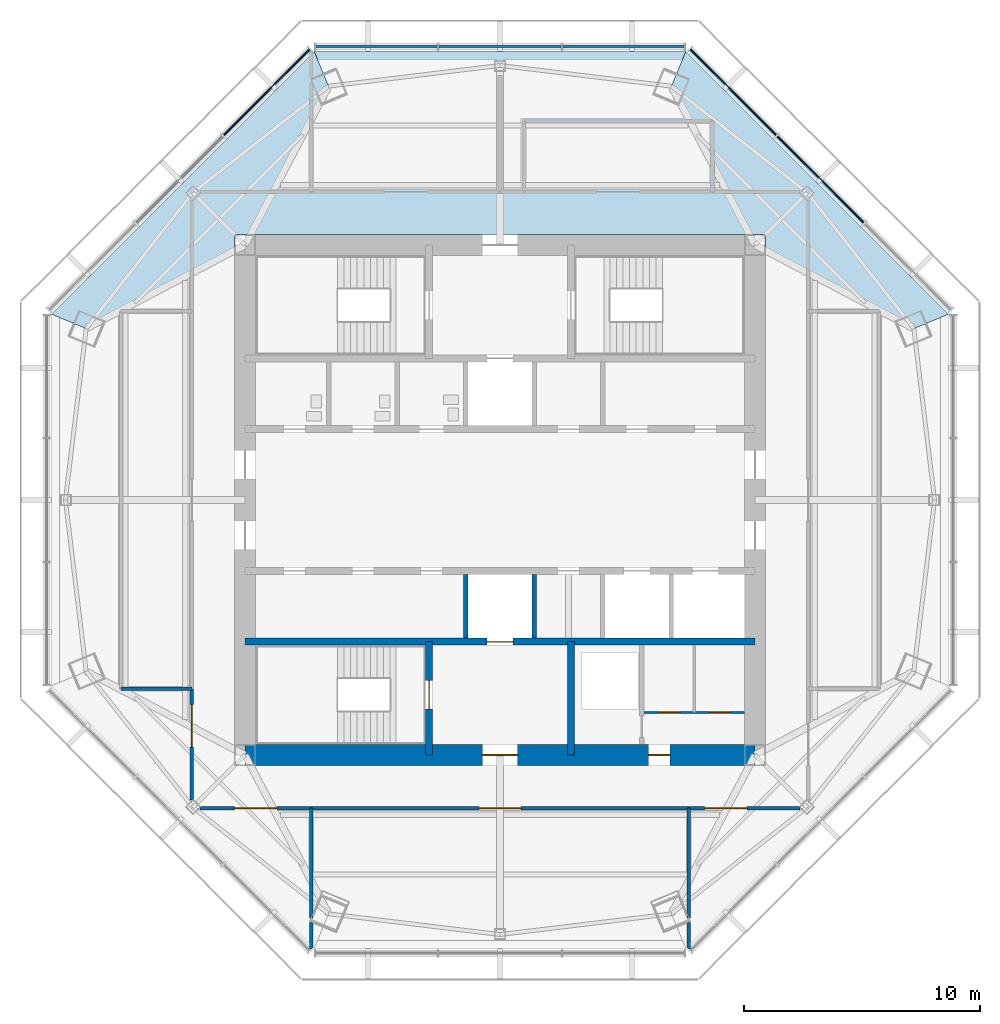
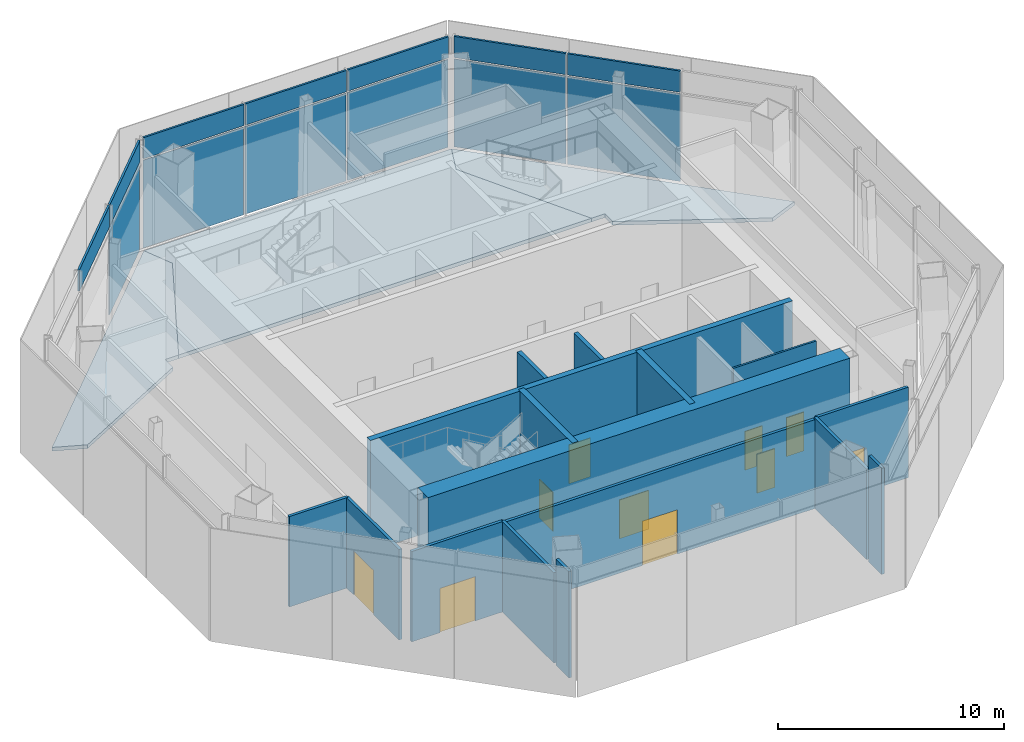
# One storey, part 4 of 11: 16 walls, 13 plates, 10 doors, 3 slabs, 10 openings, 3 elements without a shape of their own.
"""IFC4 building model written with IfcOpenShell, lengths in metres."""

from ifc_helpers import new_model, si_unit, direction, frame, frame_2d, origin, origin_2d, place, context, subcontext, project, spatial, polyline, rectangle, outline, extrude, source, transform, mapped, material, layer, layer_set, type_object, type_shapes, element, fill, aggregate, save


model = new_model("IFC4")

# Units and contexts
model_context = context("Model", 3, precision=1e-05, world=origin(), true_north=direction((0.0, 1.0)))
body_context = subcontext(model_context, "Body", "Model", "MODEL_VIEW")
ifc_project = project(units=[si_unit("LENGTHUNIT", "METRE"), si_unit("AREAUNIT", "SQUARE_METRE"), si_unit("VOLUMEUNIT", "CUBIC_METRE"), si_unit("PLANEANGLEUNIT", "RADIAN"), si_unit("MASSUNIT", "GRAM", prefix="KILO")], contexts=[model_context])

# Site, building, storey
site_placement = place(None, origin())
site = spatial("IfcSite", under=ifc_project, at=site_placement, CompositionType="ELEMENT")
building_placement = place(site_placement, origin())
building = spatial("IfcBuilding", under=site, at=building_placement, Name="Mashrafa Tower", CompositionType="ELEMENT")
storey_placement = place(building_placement, frame((0.0, 0.0, 311.60009765625)))
storey = spatial("IfcBuildingStorey", under=building, at=storey_placement, Name="L77", CompositionType="ELEMENT", Elevation=311.60009765625)

# Slabs
ifc_material_1 = material(Name="Concrete C35/45", Category="concrete")
ifc_layer_1 = layer(ifc_material_1, 0.199951171875)
ifc_layer_set_1 = layer_set([ifc_layer_1], Name="Floor slab 200")
slab_type = type_object("IfcSlabType", Name="Floor slab 200", PredefinedType="FLOOR", material=ifc_layer_set_1)
slab_1_placement = place(storey_placement, frame((0.0, 0.0, -0.2001953125)))
element("IfcSlab", 1, at=slab_1_placement, inside=storey, type_object=slab_type, Name="Floor slab L77 north-east bay", PredefinedType="FLOOR", context=body_context, shape_type="SweptSolid", body=[
    extrude(outline(polyline([(7.8701171875, 19.0), (19.0, 7.8701171875), (19.0, 7.8701171875), (17.527587890625, 7.260009765625), (11.25, 10.563232421875), (11.25, 11.25), (10.563232421875, 11.25), (7.260009765625, 17.527587890625), (7.8701171875, 19.0), (7.8701171875, 19.0)])), origin(), (0.0, 0.0, 1.0), 0.2001953125),
])
slab_2_placement = place(storey_placement, frame((0.0, 0.0, -0.2001953125)))
element("IfcSlab", 2, at=slab_2_placement, inside=storey, type_object=slab_type, Name="Floor slab L77 north bay", PredefinedType="FLOOR", context=body_context, shape_type="SweptSolid", body=[
    extrude(outline(polyline([(7.8701171875, 19.0), (7.260009765625, 17.527587890625), (10.563232421875, 11.25), (-10.563232421875, 11.25), (-7.260009765625, 17.527587890625), (-7.8701171875, 19.0), (7.8701171875, 19.0)])), origin(), (0.0, 0.0, 1.0), 0.2001953125),
])
slab_3_placement = place(storey_placement, frame((0.0, 0.0, -0.2001953125)))
element("IfcSlab", 3, at=slab_3_placement, inside=storey, type_object=slab_type, Name="Floor slab L77 north-west bay", PredefinedType="FLOOR", context=body_context, shape_type="SweptSolid", body=[
    extrude(outline(polyline([(-19.0, 7.8701171875), (-7.8701171875, 19.0), (-7.8701171875, 19.0), (-7.260009765625, 17.527587890625), (-10.563232421875, 11.25), (-11.25, 11.25), (-11.25, 10.563232421875), (-17.527587890625, 7.260009765625), (-19.0, 7.8701171875), (-19.0, 7.8701171875)])), origin(), (0.0, 0.0, 1.0), 0.2001953125),
])

# Curtain wall, plate
ifc_material_2 = material(Name="Unitised aluminium curtain wall", Category="aluminium")
curtain_wall_type = type_object("IfcCurtainWallType", Name="Observation curtain wall CW-F 350 deep", PredefinedType="NOTDEFINED", material=ifc_material_2)
curtain_wall_1_placement = place(storey_placement, origin())
curtain_wall_1 = element("IfcCurtainWall", 4, at=curtain_wall_1_placement, inside=storey, type_object=curtain_wall_type, Name="Observation curtain wall L77 north-east", PredefinedType="NOTDEFINED")
ifc_material_3 = material(Name="Laminated insulated double glazing, extra clear", Category="glass")
ifc_layer_2 = layer(ifc_material_3, 0.031982421875)
ifc_layer_set_2 = layer_set([ifc_layer_2], Name="Vision panel CW-F 32")
plate_type_1 = type_object("IfcPlateType", Name="Vision panel CW-F 32", PredefinedType="CURTAIN_PANEL", material=ifc_layer_set_2)
shared_shape_1 = source(origin(), body_context, "Body", "SweptSolid", [
    extrude(rectangle(XDim=5.134521484375, YDim=0.031982421875, at=origin_2d()), origin(), (0.0, 0.0, 1.0), 4.75),
])
plate_1_placement = place(storey_placement, frame((9.879638671875, 17.2734375, 0.0), z_axis=(0.0, 0.0, 1.0), x_axis=(-0.707106781187, 0.707106781187, 0.0)))
plate_1 = element("IfcPlate", 5, at=plate_1_placement, type_object=plate_type_1, Name="CW-F vision panel 3", PredefinedType="CURTAIN_PANEL", context=body_context, shape_type="MappedRepresentation", body=[
    mapped(shared_shape_1, transform((0.0, 0.0, 0.0))),
])

# Curtain wall, plates
curtain_wall_2_placement = place(storey_placement, origin())
curtain_wall_2 = element("IfcCurtainWall", 6, at=curtain_wall_2_placement, inside=storey, type_object=curtain_wall_type, Name="Observation curtain wall L77 north", PredefinedType="NOTDEFINED")
plate_2_placement = place(storey_placement, frame((5.228271484375, 19.199951171875, 0.0), z_axis=(0.0, 0.0, 1.0), x_axis=(-1.0, 0.0, 0.0)))
plate_2 = element("IfcPlate", 7, at=plate_2_placement, type_object=plate_type_1, Name="CW-F vision panel 1", PredefinedType="CURTAIN_PANEL", context=body_context, shape_type="MappedRepresentation", body=[
    mapped(shared_shape_1, transform((0.0, 0.0, 0.0))),
])
plate_3_placement = place(storey_placement, frame((-5.228271484375, 19.199951171875, 0.0), z_axis=(0.0, 0.0, 1.0), x_axis=(-1.0, 0.0, 0.0)))
plate_3 = element("IfcPlate", 8, at=plate_3_placement, type_object=plate_type_1, Name="CW-F vision panel 3", PredefinedType="CURTAIN_PANEL", context=body_context, shape_type="MappedRepresentation", body=[
    mapped(shared_shape_1, transform((0.0, 0.0, 0.0))),
])

# Curtain wall, plate
curtain_wall_3_placement = place(storey_placement, origin())
curtain_wall_3 = element("IfcCurtainWall", 9, at=curtain_wall_3_placement, inside=storey, type_object=curtain_wall_type, Name="Observation curtain wall L77 north-west", PredefinedType="NOTDEFINED")
plate_4_placement = place(storey_placement, frame((-9.879638671875, 17.2734375, 0.0), z_axis=(0.0, 0.0, 1.0), x_axis=(-0.707106781187, -0.707106781187, 0.0)))
plate_4 = element("IfcPlate", 10, at=plate_4_placement, type_object=plate_type_1, Name="CW-F vision panel 1", PredefinedType="CURTAIN_PANEL", context=body_context, shape_type="MappedRepresentation", body=[
    mapped(shared_shape_1, transform((0.0, 0.0, 0.0))),
])

# Plate
ifc_material_4 = material(Name="Insulated aluminium spandrel panel", Category="aluminium")
ifc_layer_3 = layer(ifc_material_4, 0.10009765625)
ifc_layer_set_3 = layer_set([ifc_layer_3], Name="Spandrel panel CW-F 100")
plate_type_2 = type_object("IfcPlateType", Name="Spandrel panel CW-F 100", PredefinedType="CURTAIN_PANEL", material=ifc_layer_set_3)
shared_shape_2 = source(origin(), body_context, "Body", "SweptSolid", [
    extrude(rectangle(XDim=5.134521484375, YDim=0.10009765625, at=origin_2d()), origin(), (0.0, 0.0, 1.0), 1.14990234375),
])
plate_5_placement = place(storey_placement, frame((9.879638671875, 17.2734375, 4.849853515625), z_axis=(0.0, 0.0, 1.0), x_axis=(-0.707106781187, 0.707106781187, 0.0)))
plate_5 = element("IfcPlate", 11, at=plate_5_placement, type_object=plate_type_2, Name="CW-F spandrel panel 3", PredefinedType="CURTAIN_PANEL", context=body_context, shape_type="MappedRepresentation", body=[
    mapped(shared_shape_2, transform((0.0, 0.0, 0.0))),
])

plate_6_placement = place(storey_placement, frame((5.228271484375, 19.199951171875, 4.849853515625), z_axis=(0.0, 0.0, 1.0), x_axis=(-1.0, 0.0, 0.0)))
plate_6 = element("IfcPlate", 12, at=plate_6_placement, type_object=plate_type_2, Name="CW-F spandrel panel 1", PredefinedType="CURTAIN_PANEL", context=body_context, shape_type="MappedRepresentation", body=[
    mapped(shared_shape_2, transform((0.0, 0.0, 0.0))),
])

plate_7_placement = place(storey_placement, frame((-5.228271484375, 19.199951171875, 4.849853515625), z_axis=(0.0, 0.0, 1.0), x_axis=(-1.0, 0.0, 0.0)))
plate_7 = element("IfcPlate", 13, at=plate_7_placement, type_object=plate_type_2, Name="CW-F spandrel panel 3", PredefinedType="CURTAIN_PANEL", context=body_context, shape_type="MappedRepresentation", body=[
    mapped(shared_shape_2, transform((0.0, 0.0, 0.0))),
])

plate_8_placement = place(storey_placement, frame((-9.879638671875, 17.2734375, 4.849853515625), z_axis=(0.0, 0.0, 1.0), x_axis=(-0.707106781187, -0.707106781187, 0.0)))
plate_8 = element("IfcPlate", 14, at=plate_8_placement, type_object=plate_type_2, Name="CW-F spandrel panel 1", PredefinedType="CURTAIN_PANEL", context=body_context, shape_type="MappedRepresentation", body=[
    mapped(shared_shape_2, transform((0.0, 0.0, 0.0))),
])

shared_shape_3 = source(origin(), body_context, "Body", "SweptSolid", [
    extrude(rectangle(XDim=5.171875, YDim=0.031982421875, at=origin_2d()), origin(), (0.0, 0.0, 1.0), 4.75),
])
type_shapes(plate_type_1, [shared_shape_1, shared_shape_3])
plate_9_placement = place(storey_placement, frame((13.576416015625, 13.576416015625, 0.0), z_axis=(0.0, 0.0, 1.0), x_axis=(-0.707106781187, 0.707106781187, 0.0)))
plate_9 = element("IfcPlate", 15, at=plate_9_placement, type_object=plate_type_1, Name="CW-F vision panel 2", PredefinedType="CURTAIN_PANEL", context=body_context, shape_type="MappedRepresentation", body=[
    mapped(shared_shape_3, transform((0.0, 0.0, 0.0))),
])

plate_10_placement = place(storey_placement, frame((0.0, 19.199951171875, 0.0), z_axis=(0.0, 0.0, 1.0), x_axis=(-1.0, 0.0, 0.0)))
plate_10 = element("IfcPlate", 16, at=plate_10_placement, type_object=plate_type_1, Name="CW-F vision panel 2", PredefinedType="CURTAIN_PANEL", context=body_context, shape_type="MappedRepresentation", body=[
    mapped(shared_shape_3, transform((0.0, 0.0, 0.0))),
])

shared_shape_4 = source(origin(), body_context, "Body", "SweptSolid", [
    extrude(rectangle(XDim=5.171875, YDim=0.10009765625, at=origin_2d()), origin(), (0.0, 0.0, 1.0), 1.14990234375),
])
type_shapes(plate_type_2, [shared_shape_2, shared_shape_4])
plate_11_placement = place(storey_placement, frame((13.576416015625, 13.576416015625, 4.849853515625), z_axis=(0.0, 0.0, 1.0), x_axis=(-0.707106781187, 0.707106781187, 0.0)))
plate_11 = element("IfcPlate", 17, at=plate_11_placement, type_object=plate_type_2, Name="CW-F spandrel panel 2", PredefinedType="CURTAIN_PANEL", context=body_context, shape_type="MappedRepresentation", body=[
    mapped(shared_shape_4, transform((0.0, 0.0, 0.0))),
])

aggregate(curtain_wall_1, [plate_9, plate_11, plate_1, plate_5])

plate_12_placement = place(storey_placement, frame((0.0, 19.199951171875, 4.849853515625), z_axis=(0.0, 0.0, 1.0), x_axis=(-1.0, 0.0, 0.0)))
plate_12 = element("IfcPlate", 18, at=plate_12_placement, type_object=plate_type_2, Name="CW-F spandrel panel 2", PredefinedType="CURTAIN_PANEL", context=body_context, shape_type="MappedRepresentation", body=[
    mapped(shared_shape_4, transform((0.0, 0.0, 0.0))),
])

aggregate(curtain_wall_2, [plate_2, plate_6, plate_10, plate_12, plate_3, plate_7])

plate_13_placement = place(storey_placement, frame((-13.576416015625, 13.576416015625, 4.849853515625), z_axis=(0.0, 0.0, 1.0), x_axis=(-0.707106781187, -0.707106781187, 0.0)))
plate_13 = element("IfcPlate", 19, at=plate_13_placement, type_object=plate_type_2, Name="CW-F spandrel panel 2", PredefinedType="CURTAIN_PANEL", context=body_context, shape_type="MappedRepresentation", body=[
    mapped(shared_shape_4, transform((0.0, 0.0, 0.0))),
])

aggregate(curtain_wall_3, [plate_4, plate_8, plate_13])

# Wall, opening, door
ifc_material_5 = material(Name="Concrete C50/60", Category="concrete")
ifc_layer_4 = layer(ifc_material_5, 0.300048828125)
ifc_layer_set_4 = layer_set([ifc_layer_4], Name="Core wall 300 C50/60")
wall_type_1 = type_object("IfcWallType", Name="Core wall 300 C50/60", PredefinedType="SOLIDWALL", material=ifc_layer_set_4)
wall_1_placement = place(storey_placement, frame((-10.800048828125, -6.0, 0.0), z_axis=(0.0, 0.0, 1.0), x_axis=(1.0, 0.0, 0.0)))
wall_1 = element("IfcWall", 20, at=wall_1_placement, inside=storey, type_object=wall_type_1, Name="Core wall CB-S L77", PredefinedType="SOLIDWALL", context=body_context, shape_type="SweptSolid", body=[
    extrude(rectangle(XDim=21.60009765625, YDim=0.300048828125, at=frame_2d((10.800048828125, 0.0))), origin(), (0.0, 0.0, 1.0), 6.0),
])
opening_1_placement = place(wall_1_placement, frame((10.25, 0.0, 0.0)))
opening_1 = element("IfcOpeningElement", 21, at=opening_1_placement, cuts=wall_1, Name="Opening 77.F2", PredefinedType="OPENING", context=body_context, shape_type="SweptSolid", body=[
    extrude(rectangle(XDim=1.10009765625, YDim=2.10009765625, at=frame_2d((0.550048828125, 1.050048828125))), frame((0.0, 0.159912109375, 0.0), z_axis=(0.0, -1.0, 0.0), x_axis=(1.0, 0.0, 0.0)), (0.0, 0.0, 1.0), 0.320068359375),
])
ifc_material_6 = material(Name="Steel door", Category="steel")
door_type_1 = type_object("IfcDoorType", Name="Lift landing door 1100 x 2100 90 min", OperationType="DOUBLE_DOOR_SLIDING", PredefinedType="DOOR", material=ifc_material_6)
door_1_placement = place(opening_1_placement, origin())
door_1 = element("IfcDoor", 22, at=door_1_placement, inside=storey, type_object=door_type_1, Name="Lift landing door F2 L77", OperationType="DOUBLE_DOOR_SLIDING", OverallHeight=2.10009765625, OverallWidth=1.10009765625, PredefinedType="DOOR", context=body_context, shape_type="SweptSolid", body=[
    extrude(rectangle(XDim=1.10009765625, YDim=2.10009765625, at=frame_2d((0.550048828125, 1.050048828125))), frame((0.0, 0.02490234375, 0.0), z_axis=(0.0, -1.0, 0.0), x_axis=(1.0, 0.0, 0.0)), (0.0, 0.0, 1.0), 0.050048828125),
])
fill(opening_1, door_1)

wall_2_placement = place(storey_placement, frame((-3.0, -6.0, 0.0), z_axis=(0.0, 0.0, 1.0), x_axis=(0.0, -1.0, 0.0)))
wall_2 = element("IfcWall", 23, at=wall_2_placement, inside=storey, type_object=wall_type_1, Name="Core wall CX-SW L77", PredefinedType="SOLIDWALL", context=body_context, shape_type="SweptSolid", body=[
    extrude(rectangle(XDim=4.800048828125, YDim=0.300048828125, at=frame_2d((2.39990234375, 0.0))), origin(), (0.0, 0.0, 1.0), 6.0),
])
opening_2_placement = place(wall_2_placement, frame((1.64990234375, 0.0, 0.0)))
opening_2 = element("IfcOpeningElement", 24, at=opening_2_placement, cuts=wall_2, Name="Opening 77.018", PredefinedType="OPENING", context=body_context, shape_type="SweptSolid", body=[
    extrude(rectangle(XDim=1.199951171875, YDim=2.10009765625, at=frame_2d((0.60009765625, 1.050048828125))), frame((0.0, 0.159912109375, 0.0), z_axis=(0.0, -1.0, 0.0), x_axis=(1.0, 0.0, 0.0)), (0.0, 0.0, 1.0), 0.320068359375),
])
ifc_material_7 = material(Name="Steel door", Category="steel")
door_type_2 = type_object("IfcDoorType", Name="Stair door 1200 x 2100 90 min", OperationType="USERDEFINED", PredefinedType="DOOR", material=ifc_material_7)
door_2_placement = place(opening_2_placement, frame((1.199951171875, 0.0, 0.0), z_axis=(0.0, 0.0, 1.0), x_axis=(-1.0, 0.0, 0.0)))
door_2 = element("IfcDoor", 25, at=door_2_placement, inside=storey, type_object=door_type_2, Name="Stair S3 door L77", OperationType="SINGLE_SWING_RIGHT", OverallHeight=2.10009765625, OverallWidth=1.199951171875, PredefinedType="DOOR", context=body_context, shape_type="SweptSolid", body=[
    extrude(rectangle(XDim=1.199951171875, YDim=2.10009765625, at=frame_2d((0.60009765625, 1.050048828125))), frame((0.0, 0.02490234375, 0.0), z_axis=(0.0, -1.0, 0.0), x_axis=(1.0, 0.0, 0.0)), (0.0, 0.0, 1.0), 0.050048828125),
])
fill(opening_2, door_2)

# Wall
wall_3_placement = place(storey_placement, frame((3.0, -6.0, 0.0), z_axis=(0.0, 0.0, 1.0), x_axis=(0.0, -1.0, 0.0)))
element("IfcWall", 26, at=wall_3_placement, inside=storey, type_object=wall_type_1, Name="Core wall CX-SE L77", PredefinedType="SOLIDWALL", context=body_context, shape_type="SweptSolid", body=[
    extrude(rectangle(XDim=4.800048828125, YDim=0.300048828125, at=frame_2d((2.39990234375, 0.0))), origin(), (0.0, 0.0, 1.0), 6.0),
])

# Wall, openings, doors
ifc_material_8 = material(Name="Concrete C50/60", Category="concrete")
ifc_layer_5 = layer(ifc_material_8, 0.89990234375)
ifc_layer_set_5 = layer_set([ifc_layer_5], Name="Core wall 900 C50/60")
wall_type_2 = type_object("IfcWallType", Name="Core wall 900 C50/60", PredefinedType="SOLIDWALL", material=ifc_layer_set_5)
wall_4_placement = place(storey_placement, frame((-10.800048828125, -10.800048828125, 0.0), z_axis=(0.0, 0.0, 1.0), x_axis=(1.0, 0.0, 0.0)))
wall_4 = element("IfcWall", 27, at=wall_4_placement, inside=storey, type_object=wall_type_2, Name="Core wall CW-S L77", PredefinedType="SOLIDWALL", context=body_context, shape_type="SweptSolid", body=[
    extrude(rectangle(XDim=21.60009765625, YDim=0.89990234375, at=frame_2d((10.800048828125, 0.0))), origin(), (0.0, 0.0, 1.0), 6.0),
])
opening_3_placement = place(wall_4_placement, frame((10.050048828125, 0.0, 0.0)))
opening_3 = element("IfcOpeningElement", 28, at=opening_3_placement, cuts=wall_4, Name="Opening 77.015", PredefinedType="OPENING", context=body_context, shape_type="SweptSolid", body=[
    extrude(rectangle(XDim=1.5, YDim=2.10009765625, at=frame_2d((0.75, 1.050048828125))), frame((0.0, 0.4599609375, 0.0), z_axis=(0.0, -1.0, 0.0), x_axis=(1.0, 0.0, 0.0)), (0.0, 0.0, 1.0), 0.919921875),
])
opening_4_placement = place(wall_4_placement, frame((17.10009765625, 0.0, 0.0)))
opening_4 = element("IfcOpeningElement", 29, at=opening_4_placement, cuts=wall_4, Name="Opening 77.019", PredefinedType="OPENING", context=body_context, shape_type="SweptSolid", body=[
    extrude(rectangle(XDim=0.89990234375, YDim=2.10009765625, at=frame_2d((0.449951171875, 1.050048828125))), frame((0.0, 0.4599609375, 0.0), z_axis=(0.0, -1.0, 0.0), x_axis=(1.0, 0.0, 0.0)), (0.0, 0.0, 1.0), 0.919921875),
])
ifc_material_9 = material(Name="Steel door", Category="steel")
door_type_3 = type_object("IfcDoorType", Name="Lobby door pair 1500 x 2100 90 min", OperationType="DOUBLE_DOOR_SINGLE_SWING", PredefinedType="DOOR", material=ifc_material_9)
door_3_placement = place(opening_3_placement, origin())
door_3 = element("IfcDoor", 30, at=door_3_placement, inside=storey, type_object=door_type_3, Name="Fire-fighting lobby F2 door L77", OperationType="DOUBLE_DOOR_SINGLE_SWING", OverallHeight=2.10009765625, OverallWidth=1.5, PredefinedType="DOOR", context=body_context, shape_type="SweptSolid", body=[
    extrude(rectangle(XDim=1.5, YDim=2.10009765625, at=frame_2d((0.75, 1.050048828125))), frame((0.0, 0.02490234375, 0.0), z_axis=(0.0, -1.0, 0.0), x_axis=(1.0, 0.0, 0.0)), (0.0, 0.0, 1.0), 0.050048828125),
])
fill(opening_3, door_3)
ifc_material_10 = material(Name="Steel door", Category="steel")
door_type_4 = type_object("IfcDoorType", Name="Service door 900 x 2100 90 min", OperationType="USERDEFINED", PredefinedType="DOOR", material=ifc_material_10)
door_4_placement = place(opening_4_placement, frame((0.89990234375, 0.0, 0.0), z_axis=(0.0, 0.0, 1.0), x_axis=(-1.0, 0.0, 0.0)))
door_4 = element("IfcDoor", 31, at=door_4_placement, inside=storey, type_object=door_type_4, Name="Services Lobby L77 door", OperationType="SINGLE_SWING_LEFT", OverallHeight=2.10009765625, OverallWidth=0.89990234375, PredefinedType="DOOR", context=body_context, shape_type="SweptSolid", body=[
    extrude(rectangle(XDim=0.89990234375, YDim=2.10009765625, at=frame_2d((0.449951171875, 1.050048828125))), frame((0.0, 0.02490234375, 0.0), z_axis=(0.0, -1.0, 0.0), x_axis=(1.0, 0.0, 0.0)), (0.0, 0.0, 1.0), 0.050048828125),
])
fill(opening_4, door_4)

# Wall, opening, door
ifc_material_11 = material(Name="Gypsum board on steel studs", Category="steel")
ifc_layer_6 = layer(ifc_material_11, 0.14990234375)
ifc_layer_set_6 = layer_set([ifc_layer_6], Name="Corridor partition 150 1 hr")
wall_type_3 = type_object("IfcWallType", Name="Corridor partition 150 1 hr", PredefinedType="PARTITIONING", material=ifc_layer_set_6)
wall_5_placement = place(storey_placement, frame((-8.0009765625, -13.050048828125, 0.0), z_axis=(0.0, 0.0, 1.0), x_axis=(1.0, 0.0, 0.0)))
wall_5 = element("IfcWall", 32, at=wall_5_placement, inside=storey, type_object=wall_type_3, Name="Corridor wall L77-001", PredefinedType="PARTITIONING", context=body_context, shape_type="SweptSolid", body=[
    extrude(rectangle(XDim=16.001953125, YDim=0.14990234375, at=frame_2d((8.0009765625, 0.0))), origin(), (0.0, 0.0, 1.0), 4.812744140625),
])
opening_5_placement = place(wall_5_placement, frame((7.10107421875, 0.0, 0.0)))
opening_5 = element("IfcOpeningElement", 33, at=opening_5_placement, cuts=wall_5, Name="Opening 77.001", PredefinedType="OPENING", context=body_context, shape_type="SweptSolid", body=[
    extrude(rectangle(XDim=1.800048828125, YDim=2.39990234375, at=frame_2d((0.89990234375, 1.199951171875))), frame((0.0, 0.0849609375, 0.0), z_axis=(0.0, -1.0, 0.0), x_axis=(1.0, 0.0, 0.0)), (0.0, 0.0, 1.0), 0.169921875),
])
ifc_material_12 = material(Name="Timber door", Category="wood")
door_type_5 = type_object("IfcDoorType", Name="Door pair 1800 x 2400", OperationType="DOUBLE_DOOR_SINGLE_SWING", PredefinedType="DOOR", material=ifc_material_12)
door_5_placement = place(opening_5_placement, origin())
door_5 = element("IfcDoor", 34, at=door_5_placement, inside=storey, type_object=door_type_5, Name="Observation Cafe L77 door", OperationType="DOUBLE_DOOR_SINGLE_SWING", OverallHeight=2.39990234375, OverallWidth=1.800048828125, PredefinedType="DOOR", context=body_context, shape_type="SweptSolid", body=[
    extrude(rectangle(XDim=1.800048828125, YDim=2.39990234375, at=frame_2d((0.89990234375, 1.199951171875))), frame((0.0, 0.02490234375, 0.0), z_axis=(0.0, -1.0, 0.0), x_axis=(1.0, 0.0, 0.0)), (0.0, 0.0, 1.0), 0.050048828125),
])
fill(opening_5, door_5)

wall_6_placement = place(storey_placement, frame((7.9990234375, -13.050048828125, 0.0), z_axis=(0.0, 0.0, 1.0), x_axis=(1.0, 0.0, 0.0)))
wall_6 = element("IfcWall", 35, at=wall_6_placement, inside=storey, type_object=wall_type_3, Name="Corridor wall L77-007", PredefinedType="PARTITIONING", context=body_context, shape_type="SweptSolid", body=[
    extrude(rectangle(XDim=4.705810546875, YDim=0.14990234375, at=frame_2d((2.35302734375, 0.0))), origin(), (0.0, 0.0, 1.0), 4.89404296875),
])
opening_6_placement = place(wall_6_placement, frame((0.668701171875, 0.0, 0.0)))
opening_6 = element("IfcOpeningElement", 36, at=opening_6_placement, cuts=wall_6, Name="Opening 77.006", PredefinedType="OPENING", context=body_context, shape_type="SweptSolid", body=[
    extrude(rectangle(XDim=1.800048828125, YDim=2.39990234375, at=frame_2d((0.89990234375, 1.199951171875))), frame((0.0, 0.0849609375, 0.0), z_axis=(0.0, -1.0, 0.0), x_axis=(1.0, 0.0, 0.0)), (0.0, 0.0, 1.0), 0.169921875),
])
door_6_placement = place(opening_6_placement, origin())
door_6 = element("IfcDoor", 37, at=door_6_placement, inside=storey, type_object=door_type_5, Name="Observation Deck East L77 door", OperationType="DOUBLE_DOOR_SINGLE_SWING", OverallHeight=2.39990234375, OverallWidth=1.800048828125, PredefinedType="DOOR", context=body_context, shape_type="SweptSolid", body=[
    extrude(rectangle(XDim=1.800048828125, YDim=2.39990234375, at=frame_2d((0.89990234375, 1.199951171875))), frame((0.0, 0.02490234375, 0.0), z_axis=(0.0, -1.0, 0.0), x_axis=(1.0, 0.0, 0.0)), (0.0, 0.0, 1.0), 0.050048828125),
])
fill(opening_6, door_6)

wall_7_placement = place(storey_placement, frame((-13.050048828125, -7.9990234375, 0.0), z_axis=(0.0, 0.0, 1.0), x_axis=(0.0, -1.0, 0.0)))
wall_7 = element("IfcWall", 38, at=wall_7_placement, inside=storey, type_object=wall_type_3, Name="Corridor wall L77-011", PredefinedType="PARTITIONING", context=body_context, shape_type="SweptSolid", body=[
    extrude(rectangle(XDim=4.705810546875, YDim=0.14990234375, at=frame_2d((2.35302734375, 0.0))), origin(), (0.0, 0.0, 1.0), 4.89404296875),
])
opening_7_placement = place(wall_7_placement, frame((0.668701171875, 0.0, 0.0)))
opening_7 = element("IfcOpeningElement", 39, at=opening_7_placement, cuts=wall_7, Name="Opening 77.008", PredefinedType="OPENING", context=body_context, shape_type="SweptSolid", body=[
    extrude(rectangle(XDim=1.800048828125, YDim=2.39990234375, at=frame_2d((0.89990234375, 1.199951171875))), frame((0.0, 0.0849609375, 0.0), z_axis=(0.0, -1.0, 0.0), x_axis=(1.0, 0.0, 0.0)), (0.0, 0.0, 1.0), 0.169921875),
])
door_7_placement = place(opening_7_placement, origin())
door_7 = element("IfcDoor", 40, at=door_7_placement, inside=storey, type_object=door_type_5, Name="Observation Deck West L77 door", OperationType="DOUBLE_DOOR_SINGLE_SWING", OverallHeight=2.39990234375, OverallWidth=1.800048828125, PredefinedType="DOOR", context=body_context, shape_type="SweptSolid", body=[
    extrude(rectangle(XDim=1.800048828125, YDim=2.39990234375, at=frame_2d((0.89990234375, 1.199951171875))), frame((0.0, 0.02490234375, 0.0), z_axis=(0.0, -1.0, 0.0), x_axis=(1.0, 0.0, 0.0)), (0.0, 0.0, 1.0), 0.050048828125),
])
fill(opening_7, door_7)

wall_8_placement = place(storey_placement, frame((-12.704833984375, -13.050048828125, 0.0), z_axis=(0.0, 0.0, 1.0), x_axis=(1.0, 0.0, 0.0)))
wall_8 = element("IfcWall", 41, at=wall_8_placement, inside=storey, type_object=wall_type_3, Name="Corridor wall L77-012", PredefinedType="PARTITIONING", context=body_context, shape_type="SweptSolid", body=[
    extrude(rectangle(XDim=4.705810546875, YDim=0.14990234375, at=frame_2d((2.35302734375, 0.0))), origin(), (0.0, 0.0, 1.0), 4.89404296875),
])
opening_8_placement = place(wall_8_placement, frame((1.452880859375, 0.0, 0.0)))
opening_8 = element("IfcOpeningElement", 42, at=opening_8_placement, cuts=wall_8, Name="Opening 77.009", PredefinedType="OPENING", context=body_context, shape_type="SweptSolid", body=[
    extrude(rectangle(XDim=1.800048828125, YDim=2.39990234375, at=frame_2d((0.89990234375, 1.199951171875))), frame((0.0, 0.0849609375, 0.0), z_axis=(0.0, -1.0, 0.0), x_axis=(1.0, 0.0, 0.0)), (0.0, 0.0, 1.0), 0.169921875),
])
door_8_placement = place(opening_8_placement, origin())
door_8 = element("IfcDoor", 43, at=door_8_placement, inside=storey, type_object=door_type_5, Name="Observation Deck West L77 door", OperationType="DOUBLE_DOOR_SINGLE_SWING", OverallHeight=2.39990234375, OverallWidth=1.800048828125, PredefinedType="DOOR", context=body_context, shape_type="SweptSolid", body=[
    extrude(rectangle(XDim=1.800048828125, YDim=2.39990234375, at=frame_2d((0.89990234375, 1.199951171875))), frame((0.0, 0.02490234375, 0.0), z_axis=(0.0, -1.0, 0.0), x_axis=(1.0, 0.0, 0.0)), (0.0, 0.0, 1.0), 0.050048828125),
])
fill(opening_8, door_8)

# Wall, openings, doors
ifc_material_13 = material(Name="Gypsum board on steel studs", Category="steel")
ifc_layer_7 = layer(ifc_material_13, 0.10009765625)
ifc_layer_set_7 = layer_set([ifc_layer_7], Name="Partition 100 1 hr")
wall_type_4 = type_object("IfcWallType", Name="Partition 100 1 hr", PredefinedType="PARTITIONING", material=ifc_layer_set_7)
wall_9_placement = place(storey_placement, frame((6.10009765625, -9.0, 0.0), z_axis=(0.0, 0.0, 1.0), x_axis=(1.0, 0.0, 0.0)))
wall_9 = element("IfcWall", 44, at=wall_9_placement, inside=storey, type_object=wall_type_4, Name="Services lobby partition A L77", PredefinedType="PARTITIONING", context=body_context, shape_type="SweptSolid", body=[
    extrude(rectangle(XDim=4.25, YDim=0.10009765625, at=frame_2d((2.125, 0.0))), origin(), (0.0, 0.0, 1.0), 5.75),
])
opening_9_placement = place(wall_9_placement, frame((0.612548828125, 0.0, 0.0)))
opening_9 = element("IfcOpeningElement", 45, at=opening_9_placement, cuts=wall_9, Name="Opening 77.021", PredefinedType="OPENING", context=body_context, shape_type="SweptSolid", body=[
    extrude(rectangle(XDim=0.89990234375, YDim=2.10009765625, at=frame_2d((0.449951171875, 1.050048828125))), frame((0.0, 0.06005859375, 0.0), z_axis=(0.0, -1.0, 0.0), x_axis=(1.0, 0.0, 0.0)), (0.0, 0.0, 1.0), 0.1201171875),
])
opening_10_placement = place(wall_9_placement, frame((2.737548828125, 0.0, 0.0)))
opening_10 = element("IfcOpeningElement", 46, at=opening_10_placement, cuts=wall_9, Name="Opening 77.022", PredefinedType="OPENING", context=body_context, shape_type="SweptSolid", body=[
    extrude(rectangle(XDim=0.89990234375, YDim=2.10009765625, at=frame_2d((0.449951171875, 1.050048828125))), frame((0.0, 0.06005859375, 0.0), z_axis=(0.0, -1.0, 0.0), x_axis=(1.0, 0.0, 0.0)), (0.0, 0.0, 1.0), 0.1201171875),
])
ifc_material_14 = material(Name="Timber door", Category="wood")
door_type_6 = type_object("IfcDoorType", Name="Store door 900 x 2100", OperationType="USERDEFINED", PredefinedType="DOOR", material=ifc_material_14)
door_9_placement = place(opening_9_placement, origin())
door_9 = element("IfcDoor", 47, at=door_9_placement, inside=storey, type_object=door_type_6, Name="Cafe Store L77 door", OperationType="SINGLE_SWING_RIGHT", OverallHeight=2.10009765625, OverallWidth=0.89990234375, PredefinedType="DOOR", context=body_context, shape_type="SweptSolid", body=[
    extrude(rectangle(XDim=0.89990234375, YDim=2.10009765625, at=frame_2d((0.449951171875, 1.050048828125))), frame((0.0, 0.02490234375, 0.0), z_axis=(0.0, -1.0, 0.0), x_axis=(1.0, 0.0, 0.0)), (0.0, 0.0, 1.0), 0.050048828125),
])
fill(opening_9, door_9)
door_10_placement = place(opening_10_placement, origin())
door_10 = element("IfcDoor", 48, at=door_10_placement, inside=storey, type_object=door_type_6, Name="Building Services Store L77 door", OperationType="SINGLE_SWING_LEFT", OverallHeight=2.10009765625, OverallWidth=0.89990234375, PredefinedType="DOOR", context=body_context, shape_type="SweptSolid", body=[
    extrude(rectangle(XDim=0.89990234375, YDim=2.10009765625, at=frame_2d((0.449951171875, 1.050048828125))), frame((0.0, 0.02490234375, 0.0), z_axis=(0.0, -1.0, 0.0), x_axis=(1.0, 0.0, 0.0)), (0.0, 0.0, 1.0), 0.050048828125),
])
fill(opening_10, door_10)

# Walls
ifc_material_15 = material(Name="Gypsum board on steel studs", Category="steel")
ifc_layer_8 = layer(ifc_material_15, 0.14990234375)
ifc_layer_set_8 = layer_set([ifc_layer_8], Name="Partition 150")
wall_type_5 = type_object("IfcWallType", Name="Partition 150", PredefinedType="PARTITIONING", material=ifc_layer_set_8)
wall_10_placement = place(storey_placement, frame((8.0, -19.019287109375, 0.0), z_axis=(0.0, 0.0, 1.0), x_axis=(0.0, 1.0, 0.0)))
element("IfcWall", 49, at=wall_10_placement, inside=storey, type_object=wall_type_5, Name="Partition wall L77-015", PredefinedType="PARTITIONING", context=body_context, shape_type="SweptSolid", body=[
    extrude(rectangle(XDim=1.134521484375, YDim=0.14990234375, at=frame_2d((0.5673828125, 0.0))), origin(), (0.0, 0.0, 1.0), 5.75),
])
for number, where, z_axis, x_axis, name in (
    (50, (8.0, -17.6962890625, 0.0), (0.0, 0.0, 1.0), (0.0, 1.0, 0.0), "Partition wall L77-016"),
    (51, (-8.0, -13.050048828125, 0.0), (0.0, 0.0, 1.0), (0.0, -1.0, 0.0), "Partition wall L77-017"),
):
    element("IfcWall", number, at=place(storey_placement, frame(where, z_axis=z_axis, x_axis=x_axis)), inside=storey, type_object=wall_type_5, Name=name, PredefinedType="PARTITIONING", context=body_context, shape_type="SweptSolid", body=[
        extrude(rectangle(XDim=4.646240234375, YDim=0.14990234375, at=frame_2d((2.3232421875, 0.0))), origin(), (0.0, 0.0, 1.0), 4.89404296875),
    ])
wall_11_placement = place(storey_placement, frame((-8.0, -17.884765625, 0.0), z_axis=(0.0, 0.0, 1.0), x_axis=(0.0, -1.0, 0.0)))
element("IfcWall", 52, at=wall_11_placement, inside=storey, type_object=wall_type_5, Name="Partition wall L77-018", PredefinedType="PARTITIONING", context=body_context, shape_type="SweptSolid", body=[
    extrude(rectangle(XDim=1.134521484375, YDim=0.14990234375, at=frame_2d((0.5673828125, 0.0))), origin(), (0.0, 0.0, 1.0), 5.75),
])
wall_12_placement = place(storey_placement, frame((-16.050048828125, -8.0, 0.0), z_axis=(0.0, 0.0, 1.0), x_axis=(1.0, 0.0, 0.0)))
element("IfcWall", 53, at=wall_12_placement, inside=storey, type_object=wall_type_5, Name="Partition wall L77-027", PredefinedType="PARTITIONING", context=body_context, shape_type="SweptSolid", body=[
    extrude(rectangle(XDim=3.0, YDim=0.14990234375, at=frame_2d((1.5, 0.0))), origin(), (0.0, 0.0, 1.0), 4.89404296875),
])
ifc_material_16 = material(Name="Gypsum shaft wall on steel studs", Category="steel")
ifc_layer_9 = layer(ifc_material_16, 0.199951171875)
ifc_layer_set_9 = layer_set([ifc_layer_9], Name="Shaft divider wall 200 2 hr")
wall_type_6 = type_object("IfcWallType", Name="Shaft divider wall 200 2 hr", PredefinedType="PARTITIONING", material=ifc_layer_set_9)
for number, where, z_axis, x_axis, name in (
    (54, (-1.449951171875, -5.85009765625, 0.0), (0.0, 0.0, 1.0), (0.0, 1.0, 0.0), "Shaft divider wall S3 L77"),
    (55, (1.449951171875, -5.85009765625, 0.0), (0.0, 0.0, 1.0), (0.0, 1.0, 0.0), "Shaft divider wall S4 L77"),
):
    element("IfcWall", number, at=place(storey_placement, frame(where, z_axis=z_axis, x_axis=x_axis)), inside=storey, type_object=wall_type_6, Name=name, PredefinedType="PARTITIONING", context=body_context, shape_type="SweptSolid", body=[
        extrude(rectangle(XDim=2.7001953125, YDim=0.199951171875, at=frame_2d((1.35009765625, 0.0))), origin(), (0.0, 0.0, 1.0), 5.75),
    ])

save(model, "model.ifc")
